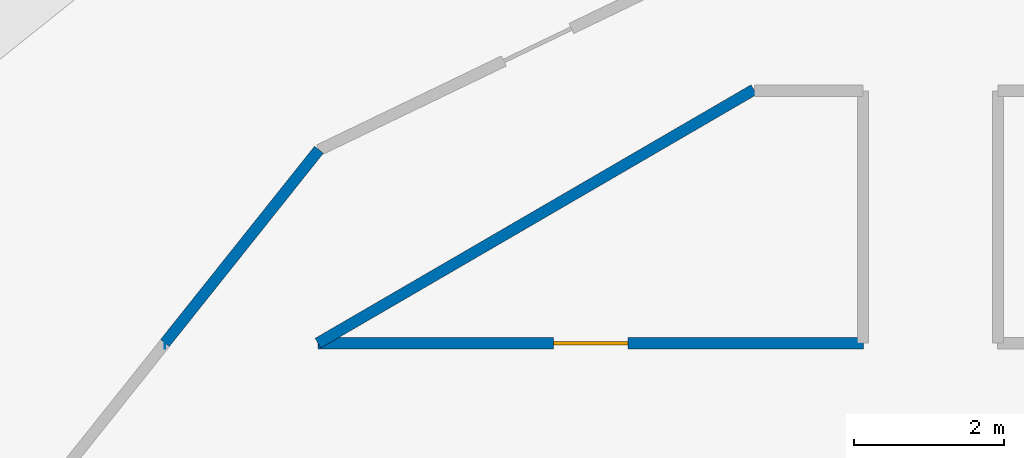
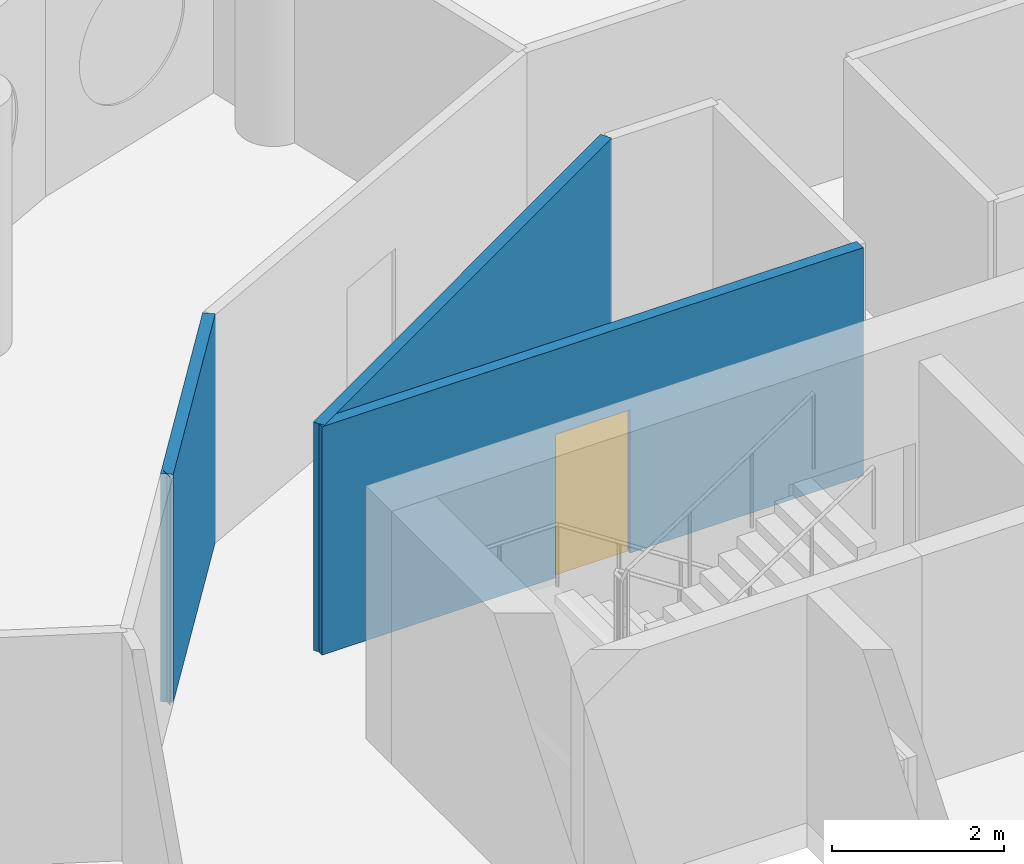
# One storey, part 6 of 12: 4 walls, 1 door, 1 opening.
"""IFC4 building model written with IfcOpenShell, lengths in metres."""

from ifc_helpers import new_model, si_unit, direction, frame, frame_2d, origin, place, context, subcontext, project, spatial, rectangle, extrude, material, layer, layer_set, type_object, element, fill, save


model = new_model("IFC4")

# Units and contexts
model_context = context("Model", 3, precision=1e-05, world=origin(), true_north=direction((0.0, 1.0)))
body_context = subcontext(model_context, "Body", "Model", "MODEL_VIEW")
ifc_project = project(units=[si_unit("LENGTHUNIT", "METRE"), si_unit("AREAUNIT", "SQUARE_METRE"), si_unit("VOLUMEUNIT", "CUBIC_METRE"), si_unit("PLANEANGLEUNIT", "RADIAN"), si_unit("MASSUNIT", "GRAM", prefix="KILO")], contexts=[model_context])

# Site, building, storey
site_placement = place(None, origin())
site = spatial("IfcSite", under=ifc_project, at=site_placement, CompositionType="ELEMENT")
building_placement = place(site_placement, origin())
building = spatial("IfcBuilding", under=site, at=building_placement, Name="Tracery Tower", CompositionType="ELEMENT")
storey_placement = place(building_placement, frame((0.0, 0.0, 327.0)))
storey = spatial("IfcBuildingStorey", under=building, at=storey_placement, Name="L85", CompositionType="ELEMENT", Elevation=327.0)

# Wall
ifc_material_1 = material(Name="Plasterboard on steel studs", Category="steel")
ifc_layer = layer(ifc_material_1, 0.14990234375)
ifc_layer_set = layer_set([ifc_layer], Name="Partition 150 corridor wall")
wall_type = type_object("IfcWallType", Name="Partition 150 corridor wall", PredefinedType="PARTITIONING", material=ifc_layer_set)
wall_1_placement = place(storey_placement, frame((-9.092041015625, 8.800048828125, 0.0), z_axis=(0.0, 0.0, 1.0), x_axis=(0.864470922103, 0.502682827277, 0.0)))
element("IfcWall", 1, at=wall_1_placement, inside=storey, type_object=wall_type, Name="Corridor wall RC10-001", PredefinedType="PARTITIONING", context=body_context, shape_type="SweptSolid", body=[
    extrude(rectangle(XDim=6.7353515625, YDim=0.14990234375, at=frame_2d((3.36767578125, 0.0))), origin(), (0.0, 0.0, 1.0), 3.25),
])

# Wall, opening, door
wall_2_placement = place(storey_placement, frame((-9.092041015625, 8.800048828125, 0.0), z_axis=(0.0, 0.0, 1.0), x_axis=(1.0, 0.0, 0.0)))
wall_2 = element("IfcWall", 2, at=wall_2_placement, inside=storey, type_object=wall_type, Name="Corridor wall RC10-002", PredefinedType="PARTITIONING", context=body_context, shape_type="SweptSolid", body=[
    extrude(rectangle(XDim=7.2861328125, YDim=0.14990234375, at=frame_2d((3.64306640625, 0.0))), origin(), (0.0, 0.0, 1.0), 3.25),
])
opening_placement = place(wall_2_placement, frame((3.14306640625, 0.0, 0.0)))
opening = element("IfcOpeningElement", 3, at=opening_placement, cuts=wall_2, Name="Opening RC10-01", PredefinedType="OPENING", context=body_context, shape_type="SweptSolid", body=[
    extrude(rectangle(XDim=1.0, YDim=2.0400390625, at=frame_2d((0.5, 1.02001953125))), frame((0.0, 0.074951171875, 0.0), z_axis=(0.0, -1.0, 0.0), x_axis=(1.0, 0.0, 0.0)), (0.0, 0.0, 1.0), 0.14990234375),
])
ifc_material_2 = material(Name="Timber door leaf", Category="wood")
door_type = type_object("IfcDoorType", Name="Door communal room 1000", OperationType="NOTDEFINED", PredefinedType="DOOR", material=ifc_material_2)
door_placement = place(opening_placement, origin())
door = element("IfcDoor", 4, at=door_placement, inside=storey, type_object=door_type, Name="Communal room door RC10-01", OperationType="SINGLE_SWING_LEFT", OverallHeight=2.0400390625, OverallWidth=1.0, PredefinedType="DOOR", context=body_context, shape_type="SweptSolid", body=[
    extrude(rectangle(XDim=1.0, YDim=2.0400390625, at=frame_2d((0.5, 1.02001953125))), frame((0.0, 0.02490234375, 0.0), z_axis=(0.0, -1.0, 0.0), x_axis=(1.0, 0.0, 0.0)), (0.0, 0.0, 1.0), 0.050048828125),
])
fill(opening, door)

# Walls
wall_3_placement = place(storey_placement, frame((-11.134033203125, 8.800048828125, 0.0), z_axis=(0.0, 0.0, 1.0), x_axis=(-1.0, 0.0, 0.0)))
element("IfcWall", 5, at=wall_3_placement, inside=storey, type_object=wall_type, Name="Corridor wall RC10-009", PredefinedType="PARTITIONING", context=body_context, shape_type="SweptSolid", body=[
    extrude(rectangle(XDim=0.0029296875, YDim=0.14990234375, at=frame_2d((0.00146484375, 0.0))), origin(), (0.0, 0.0, 1.0), 3.25),
])
wall_4_placement = place(storey_placement, frame((-11.135986328125, 8.802001953125, 0.0), z_axis=(0.0, 0.0, 1.0), x_axis=(0.623151397235, 0.782101231379, 0.0)))
element("IfcWall", 6, at=wall_4_placement, inside=storey, type_object=wall_type, Name="Corridor wall RC10-010", PredefinedType="PARTITIONING", context=body_context, shape_type="SweptSolid", body=[
    extrude(rectangle(XDim=3.30078125, YDim=0.14990234375, at=frame_2d((1.650390625, 0.0))), origin(), (0.0, 0.0, 1.0), 3.25),
])

save(model, "model.ifc")
